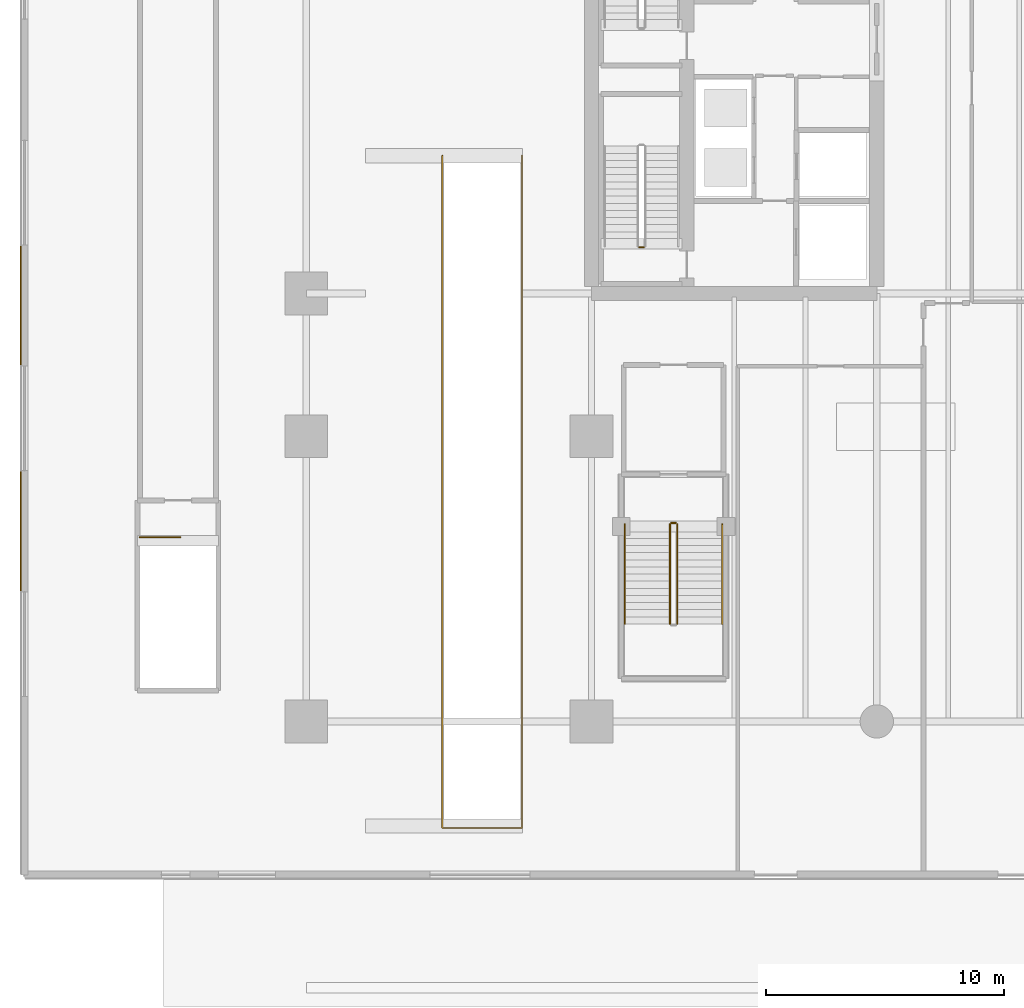
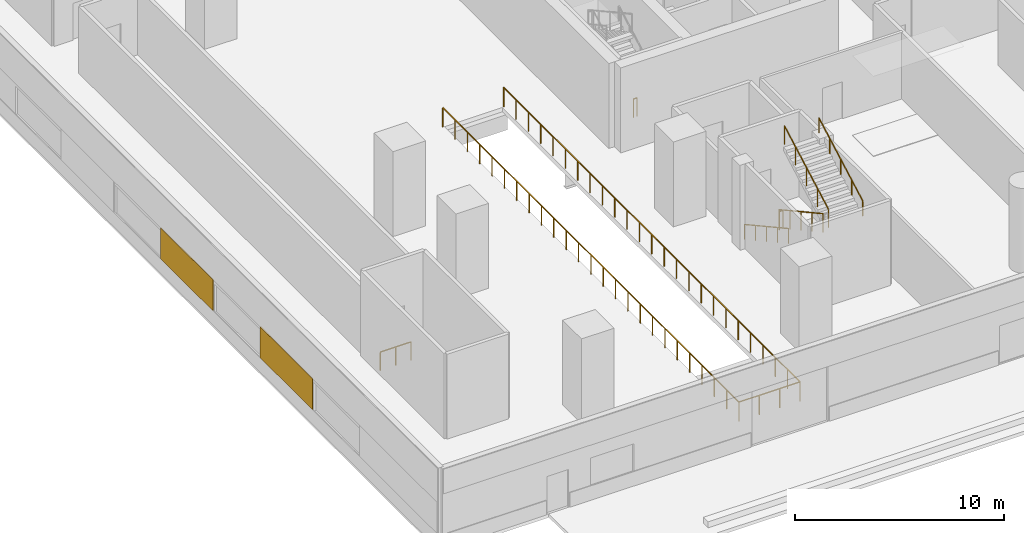
# One storey, part 15 of 25: 8 railings, 2 coverings.
"""IFC4 building model written with IfcOpenShell, lengths in metres."""

from ifc_helpers import new_model, si_unit, direction, frame, origin, origin_2d, place, context, subcontext, project, spatial, rectangle, extrude, material, layer, layer_set, type_object, element, save


model = new_model("IFC4")

# Units and contexts
model_context = context("Model", 3, precision=1e-05, world=origin(), true_north=direction((0.0, 1.0)))
body_context = subcontext(model_context, "Body", "Model", "MODEL_VIEW")
ifc_project = project(units=[si_unit("LENGTHUNIT", "METRE"), si_unit("AREAUNIT", "SQUARE_METRE"), si_unit("VOLUMEUNIT", "CUBIC_METRE"), si_unit("PLANEANGLEUNIT", "RADIAN"), si_unit("MASSUNIT", "GRAM", prefix="KILO")], contexts=[model_context])

# Site, building, storey
site_placement = place(None, origin())
site = spatial("IfcSite", under=ifc_project, at=site_placement, CompositionType="ELEMENT")
building_placement = place(site_placement, origin())
building = spatial("IfcBuilding", under=site, at=building_placement, Name="Tanjung Sevakor Pilgrim Tower", CompositionType="ELEMENT")
storey_placement = place(building_placement, origin())
storey = spatial("IfcBuildingStorey", under=building, at=storey_placement, Name="L01", CompositionType="ELEMENT", Elevation=0.0)

# Coverings
ifc_material_1 = material(Name="Reconstructed Limestone Cladding", Category="masonry")
ifc_layer = layer(ifc_material_1, 0.044921875)
ifc_layer_set = layer_set([ifc_layer], Name="COV-CLAD-LIMESTONE")
covering_type = type_object("IfcCoveringType", Name="COV-CLAD-LIMESTONE", PredefinedType="CLADDING", material=ifc_layer_set)
for number, where, z_axis, x_axis, name in (
    (1, (-0.0224609375, 24.10009765625, 0.849853515625), (0.0, 0.0, 1.0), (0.0, -1.0, 0.0), "L01 Warm Limestone Pier Panel EW-L01-MAIN-4-4"),
    (2, (-0.0224609375, 14.60009765625, 0.849853515625), (0.0, 0.0, 1.0), (0.0, -1.0, 0.0), "L01 Warm Limestone Pier Panel EW-L01-MAIN-4-5"),
):
    element("IfcCovering", number, at=place(storey_placement, frame(where, z_axis=z_axis, x_axis=x_axis)), inside=storey, type_object=covering_type, Name=name, PredefinedType="CLADDING", context=body_context, shape_type="SweptSolid", body=[
        extrude(rectangle(XDim=5.0, YDim=0.044921875, at=origin_2d()), origin(), (0.0, 0.0, 1.0), 1.81005859375),
    ])

# Railings
ifc_material_2 = material(Name="Steel S355J2", Category="steel")
railing_type_1 = type_object("IfcRailingType", Name="RL-STAIR-GUARD", PredefinedType="GUARDRAIL", material=ifc_material_2)
railing_1_placement = place(storey_placement, frame((26.199951171875, 26.550048828125, 0.0)))
element("IfcRailing", 3, at=railing_1_placement, inside=storey, type_object=railing_type_1, Name="L01 TS-W1 stair guard 4", PredefinedType="GUARDRAIL", context=body_context, shape_type="SweptSolid", body=[
    extrude(rectangle(XDim=0.0479, YDim=0.0479), frame((0.0, 0.0, 1.076171875), z_axis=(-1.0, 0.0, 0.0), x_axis=(0.0, -1.0, 0.0)), (0.0, 0.0, 1.0), 0.199951171875),
    extrude(rectangle(XDim=0.042, YDim=0.042), origin(), (0.0, 0.0, 1.0), 1.052001953125),
    extrude(rectangle(XDim=0.042, YDim=0.042), frame((-0.199951171875, 0.0, 0.0)), (0.0, 0.0, 1.0), 1.052001953125),
])
railing_2_placement = place(storey_placement, frame((27.300048828125, 14.89990234375, 0.1650390625)))
element("IfcRailing", 4, at=railing_2_placement, inside=storey, type_object=railing_type_1, Name="L01 PS-1 stair guard 1", PredefinedType="GUARDRAIL", context=body_context, shape_type="SweptSolid", body=[
    extrude(rectangle(XDim=0.0479, YDim=0.0479), frame((0.0, 0.0, 1.076171875), z_axis=(0.0, -0.876208380975, 0.481932436249), x_axis=(1.0, 0.0, 0.0)), (0.0, 0.0, 1.0), 4.793212890625),
    extrude(rectangle(XDim=0.042, YDim=0.042), origin(), (0.0, 0.0, 1.0), 1.052001953125),
    extrude(rectangle(XDim=0.042, YDim=0.042), frame((0.0, -1.050048828125, 0.57763671875)), (0.0, 0.0, 1.0), 1.052001953125),
    extrude(rectangle(XDim=0.042, YDim=0.042), frame((0.0, -2.10009765625, 1.155029296875)), (0.0, 0.0, 1.0), 1.052001953125),
    extrude(rectangle(XDim=0.042, YDim=0.042), frame((0.0, -3.14990234375, 1.732421875)), (0.0, 0.0, 1.0), 1.052001953125),
    extrude(rectangle(XDim=0.042, YDim=0.042), frame((0.0, -4.199951171875, 2.31005859375)), (0.0, 0.0, 1.0), 1.052001953125),
])
railing_3_placement = place(storey_placement, frame((27.60009765625, 10.699951171875, 2.639892578125)))
element("IfcRailing", 5, at=railing_3_placement, inside=storey, type_object=railing_type_1, Name="L01 PS-1 stair guard 3", PredefinedType="GUARDRAIL", context=body_context, shape_type="SweptSolid", body=[
    extrude(rectangle(XDim=0.0479, YDim=0.0479), frame((0.0, 0.0, 1.076171875), z_axis=(0.0, 0.876208380975, 0.481932436249), x_axis=(-1.0, 0.0, 0.0)), (0.0, 0.0, 1.0), 4.793212890625),
    extrude(rectangle(XDim=0.042, YDim=0.042), origin(), (0.0, 0.0, 1.0), 1.052001953125),
    extrude(rectangle(XDim=0.042, YDim=0.042), frame((0.0, 1.050048828125, 0.57763671875)), (0.0, 0.0, 1.0), 1.052001953125),
    extrude(rectangle(XDim=0.042, YDim=0.042), frame((0.0, 2.10009765625, 1.155029296875)), (0.0, 0.0, 1.0), 1.052001953125),
    extrude(rectangle(XDim=0.042, YDim=0.042), frame((0.0, 3.14990234375, 1.732421875)), (0.0, 0.0, 1.0), 1.052001953125),
    extrude(rectangle(XDim=0.042, YDim=0.042), frame((0.0, 4.199951171875, 2.31005859375)), (0.0, 0.0, 1.0), 1.052001953125),
])
railing_4_placement = place(storey_placement, frame((27.35009765625, 14.949951171875, 0.0)))
element("IfcRailing", 6, at=railing_4_placement, inside=storey, type_object=railing_type_1, Name="L01 PS-1 stair guard 4", PredefinedType="GUARDRAIL", context=body_context, shape_type="SweptSolid", body=[
    extrude(rectangle(XDim=0.0479, YDim=0.0479), frame((0.0, 0.0, 1.076171875), z_axis=(1.0, 0.0, 0.0), x_axis=(0.0, 1.0, 0.0)), (0.0, 0.0, 1.0), 0.199951171875),
    extrude(rectangle(XDim=0.042, YDim=0.042), origin(), (0.0, 0.0, 1.0), 1.052001953125),
    extrude(rectangle(XDim=0.042, YDim=0.042), frame((0.199951171875, 0.0, 0.0)), (0.0, 0.0, 1.0), 1.052001953125),
])
railing_5_placement = place(storey_placement, frame((5.0, 14.35009765625, 0.0)))
element("IfcRailing", 7, at=railing_5_placement, inside=storey, type_object=railing_type_1, Name="L01 BS-1 top well guard 1", PredefinedType="GUARDRAIL", context=body_context, shape_type="SweptSolid", body=[
    extrude(rectangle(XDim=0.0479, YDim=0.0479), frame((0.0, 0.0, 1.076171875), z_axis=(1.0, 0.0, 0.0), x_axis=(0.0, 1.0, 0.0)), (0.0, 0.0, 1.0), 1.699951171875),
    extrude(rectangle(XDim=0.042, YDim=0.042), origin(), (0.0, 0.0, 1.0), 1.052001953125),
    extrude(rectangle(XDim=0.042, YDim=0.042), frame((0.85009765625, 0.0, 0.0)), (0.0, 0.0, 1.0), 1.052001953125),
    extrude(rectangle(XDim=0.042, YDim=0.042), frame((1.699951171875, 0.0, 0.0)), (0.0, 0.0, 1.0), 1.052001953125),
])
railing_6_placement = place(storey_placement, frame((17.719970703125, 30.419921875, 0.0)))
element("IfcRailing", 8, at=railing_6_placement, inside=storey, type_object=railing_type_1, Name="L01 Vehicle Ramp Opening Guardrail", PredefinedType="GUARDRAIL", context=body_context, shape_type="SweptSolid", body=[
    extrude(rectangle(XDim=0.0479, YDim=0.0479), frame((0.0, 0.0, 1.1259765625), z_axis=(0.0, -1.0, 0.0), x_axis=(1.0, 0.0, 0.0)), (0.0, 0.0, 1.0), 28.2998046875),
    extrude(rectangle(XDim=0.0479, YDim=0.0479), frame((0.0, -28.2998046875, 1.1259765625), z_axis=(1.0, 0.0, 0.0), x_axis=(0.0, 1.0, 0.0)), (0.0, 0.0, 1.0), 3.360107421875),
    extrude(rectangle(XDim=0.0479, YDim=0.0479), frame((3.360107421875, -28.2998046875, 1.1259765625), z_axis=(0.0, 1.0, 0.0), x_axis=(-1.0, 0.0, 0.0)), (0.0, 0.0, 1.0), 28.2998046875),
    extrude(rectangle(XDim=0.042, YDim=0.042), origin(), (0.0, 0.0, 1.0), 1.101806640625),
    extrude(rectangle(XDim=0.042, YDim=0.042), frame((0.0, -1.17919921875, 0.0)), (0.0, 0.0, 1.0), 1.101806640625),
    extrude(rectangle(XDim=0.042, YDim=0.042), frame((0.0, -2.3583984375, 0.0)), (0.0, 0.0, 1.0), 1.101806640625),
    extrude(rectangle(XDim=0.042, YDim=0.042), frame((0.0, -3.53759765625, 0.0)), (0.0, 0.0, 1.0), 1.101806640625),
    extrude(rectangle(XDim=0.042, YDim=0.042), frame((0.0, -4.716552734375, 0.0)), (0.0, 0.0, 1.0), 1.101806640625),
    extrude(rectangle(XDim=0.042, YDim=0.042), frame((0.0, -5.895751953125, 0.0)), (0.0, 0.0, 1.0), 1.101806640625),
    extrude(rectangle(XDim=0.042, YDim=0.042), frame((0.0, -7.074951171875, 0.0)), (0.0, 0.0, 1.0), 1.101806640625),
    extrude(rectangle(XDim=0.042, YDim=0.042), frame((0.0, -8.254150390625, 0.0)), (0.0, 0.0, 1.0), 1.101806640625),
    extrude(rectangle(XDim=0.042, YDim=0.042), frame((0.0, -9.433349609375, 0.0)), (0.0, 0.0, 1.0), 1.101806640625),
    extrude(rectangle(XDim=0.042, YDim=0.042), frame((0.0, -10.6123046875, 0.0)), (0.0, 0.0, 1.0), 1.101806640625),
    extrude(rectangle(XDim=0.042, YDim=0.042), frame((0.0, -11.79150390625, 0.0)), (0.0, 0.0, 1.0), 1.101806640625),
    extrude(rectangle(XDim=0.042, YDim=0.042), frame((0.0, -12.970703125, 0.0)), (0.0, 0.0, 1.0), 1.101806640625),
    extrude(rectangle(XDim=0.042, YDim=0.042), frame((0.0, -14.14990234375, 0.0)), (0.0, 0.0, 1.0), 1.101806640625),
    extrude(rectangle(XDim=0.042, YDim=0.042), frame((0.0, -15.3291015625, 0.0)), (0.0, 0.0, 1.0), 1.101806640625),
    extrude(rectangle(XDim=0.042, YDim=0.042), frame((0.0, -16.50830078125, 0.0)), (0.0, 0.0, 1.0), 1.101806640625),
    extrude(rectangle(XDim=0.042, YDim=0.042), frame((0.0, -17.6875, 0.0)), (0.0, 0.0, 1.0), 1.101806640625),
    extrude(rectangle(XDim=0.042, YDim=0.042), frame((0.0, -18.866455078125, 0.0)), (0.0, 0.0, 1.0), 1.101806640625),
    extrude(rectangle(XDim=0.042, YDim=0.042), frame((0.0, -20.045654296875, 0.0)), (0.0, 0.0, 1.0), 1.101806640625),
    extrude(rectangle(XDim=0.042, YDim=0.042), frame((0.0, -21.224853515625, 0.0)), (0.0, 0.0, 1.0), 1.101806640625),
    extrude(rectangle(XDim=0.042, YDim=0.042), frame((0.0, -22.404052734375, 0.0)), (0.0, 0.0, 1.0), 1.101806640625),
    extrude(rectangle(XDim=0.042, YDim=0.042), frame((0.0, -23.583251953125, 0.0)), (0.0, 0.0, 1.0), 1.101806640625),
    extrude(rectangle(XDim=0.042, YDim=0.042), frame((0.0, -24.76220703125, 0.0)), (0.0, 0.0, 1.0), 1.101806640625),
    extrude(rectangle(XDim=0.042, YDim=0.042), frame((0.0, -25.94140625, 0.0)), (0.0, 0.0, 1.0), 1.101806640625),
    extrude(rectangle(XDim=0.042, YDim=0.042), frame((0.0, -27.12060546875, 0.0)), (0.0, 0.0, 1.0), 1.101806640625),
    extrude(rectangle(XDim=0.042, YDim=0.042), frame((0.0, -28.2998046875, 0.0)), (0.0, 0.0, 1.0), 1.101806640625),
    extrude(rectangle(XDim=0.042, YDim=0.042), frame((1.1201171875, -28.2998046875, 0.0)), (0.0, 0.0, 1.0), 1.101806640625),
    extrude(rectangle(XDim=0.042, YDim=0.042), frame((2.239990234375, -28.2998046875, 0.0)), (0.0, 0.0, 1.0), 1.101806640625),
    extrude(rectangle(XDim=0.042, YDim=0.042), frame((3.360107421875, -28.2998046875, 0.0)), (0.0, 0.0, 1.0), 1.101806640625),
    extrude(rectangle(XDim=0.042, YDim=0.042), frame((3.360107421875, -27.12060546875, 0.0)), (0.0, 0.0, 1.0), 1.101806640625),
    extrude(rectangle(XDim=0.042, YDim=0.042), frame((3.360107421875, -25.94140625, 0.0)), (0.0, 0.0, 1.0), 1.101806640625),
    extrude(rectangle(XDim=0.042, YDim=0.042), frame((3.360107421875, -24.76220703125, 0.0)), (0.0, 0.0, 1.0), 1.101806640625),
    extrude(rectangle(XDim=0.042, YDim=0.042), frame((3.360107421875, -23.583251953125, 0.0)), (0.0, 0.0, 1.0), 1.101806640625),
    extrude(rectangle(XDim=0.042, YDim=0.042), frame((3.360107421875, -22.404052734375, 0.0)), (0.0, 0.0, 1.0), 1.101806640625),
    extrude(rectangle(XDim=0.042, YDim=0.042), frame((3.360107421875, -21.224853515625, 0.0)), (0.0, 0.0, 1.0), 1.101806640625),
    extrude(rectangle(XDim=0.042, YDim=0.042), frame((3.360107421875, -20.045654296875, 0.0)), (0.0, 0.0, 1.0), 1.101806640625),
    extrude(rectangle(XDim=0.042, YDim=0.042), frame((3.360107421875, -18.866455078125, 0.0)), (0.0, 0.0, 1.0), 1.101806640625),
    extrude(rectangle(XDim=0.042, YDim=0.042), frame((3.360107421875, -17.6875, 0.0)), (0.0, 0.0, 1.0), 1.101806640625),
    extrude(rectangle(XDim=0.042, YDim=0.042), frame((3.360107421875, -16.50830078125, 0.0)), (0.0, 0.0, 1.0), 1.101806640625),
    extrude(rectangle(XDim=0.042, YDim=0.042), frame((3.360107421875, -15.3291015625, 0.0)), (0.0, 0.0, 1.0), 1.101806640625),
    extrude(rectangle(XDim=0.042, YDim=0.042), frame((3.360107421875, -14.14990234375, 0.0)), (0.0, 0.0, 1.0), 1.101806640625),
    extrude(rectangle(XDim=0.042, YDim=0.042), frame((3.360107421875, -12.970703125, 0.0)), (0.0, 0.0, 1.0), 1.101806640625),
    extrude(rectangle(XDim=0.042, YDim=0.042), frame((3.360107421875, -11.79150390625, 0.0)), (0.0, 0.0, 1.0), 1.101806640625),
    extrude(rectangle(XDim=0.042, YDim=0.042), frame((3.360107421875, -10.6123046875, 0.0)), (0.0, 0.0, 1.0), 1.101806640625),
    extrude(rectangle(XDim=0.042, YDim=0.042), frame((3.360107421875, -9.433349609375, 0.0)), (0.0, 0.0, 1.0), 1.101806640625),
    extrude(rectangle(XDim=0.042, YDim=0.042), frame((3.360107421875, -8.254150390625, 0.0)), (0.0, 0.0, 1.0), 1.101806640625),
    extrude(rectangle(XDim=0.042, YDim=0.042), frame((3.360107421875, -7.074951171875, 0.0)), (0.0, 0.0, 1.0), 1.101806640625),
    extrude(rectangle(XDim=0.042, YDim=0.042), frame((3.360107421875, -5.895751953125, 0.0)), (0.0, 0.0, 1.0), 1.101806640625),
    extrude(rectangle(XDim=0.042, YDim=0.042), frame((3.360107421875, -4.716552734375, 0.0)), (0.0, 0.0, 1.0), 1.101806640625),
    extrude(rectangle(XDim=0.042, YDim=0.042), frame((3.360107421875, -3.53759765625, 0.0)), (0.0, 0.0, 1.0), 1.101806640625),
    extrude(rectangle(XDim=0.042, YDim=0.042), frame((3.360107421875, -2.3583984375, 0.0)), (0.0, 0.0, 1.0), 1.101806640625),
    extrude(rectangle(XDim=0.042, YDim=0.042), frame((3.360107421875, -1.17919921875, 0.0)), (0.0, 0.0, 1.0), 1.101806640625),
    extrude(rectangle(XDim=0.042, YDim=0.042), frame((3.360107421875, 0.0, 0.0)), (0.0, 0.0, 1.0), 1.101806640625),
])
ifc_material_3 = material(Name="Steel S355J2", Category="steel")
railing_type_2 = type_object("IfcRailingType", Name="RL-STAIR-HAND", PredefinedType="HANDRAIL", material=ifc_material_3)
railing_7_placement = place(storey_placement, frame((25.39990234375, 14.89990234375, 0.1650390625)))
element("IfcRailing", 9, at=railing_7_placement, inside=storey, type_object=railing_type_2, Name="L01 PS-1 stair handrail 1", PredefinedType="HANDRAIL", context=body_context, shape_type="SweptSolid", body=[
    extrude(rectangle(XDim=0.0479, YDim=0.0479), frame((0.0, 0.0, 0.8759765625), z_axis=(0.0, -0.876208380975, 0.481932436249), x_axis=(1.0, 0.0, 0.0)), (0.0, 0.0, 1.0), 4.793212890625),
    extrude(rectangle(XDim=0.042, YDim=0.042), origin(), (0.0, 0.0, 1.0), 0.851806640625),
    extrude(rectangle(XDim=0.042, YDim=0.042), frame((0.0, -1.050048828125, 0.57763671875)), (0.0, 0.0, 1.0), 0.851806640625),
    extrude(rectangle(XDim=0.042, YDim=0.042), frame((0.0, -2.10009765625, 1.155029296875)), (0.0, 0.0, 1.0), 0.851806640625),
    extrude(rectangle(XDim=0.042, YDim=0.042), frame((0.0, -3.14990234375, 1.732421875)), (0.0, 0.0, 1.0), 0.851806640625),
    extrude(rectangle(XDim=0.042, YDim=0.042), frame((0.0, -4.199951171875, 2.31005859375)), (0.0, 0.0, 1.0), 0.851806640625),
])
railing_8_placement = place(storey_placement, frame((29.5, 10.699951171875, 2.639892578125)))
element("IfcRailing", 10, at=railing_8_placement, inside=storey, type_object=railing_type_2, Name="L01 PS-1 stair handrail 2", PredefinedType="HANDRAIL", context=body_context, shape_type="SweptSolid", body=[
    extrude(rectangle(XDim=0.0479, YDim=0.0479), frame((0.0, 0.0, 0.8759765625), z_axis=(0.0, 0.876208380975, 0.481932436249), x_axis=(-1.0, 0.0, 0.0)), (0.0, 0.0, 1.0), 4.793212890625),
    extrude(rectangle(XDim=0.042, YDim=0.042), origin(), (0.0, 0.0, 1.0), 0.851806640625),
    extrude(rectangle(XDim=0.042, YDim=0.042), frame((0.0, 1.050048828125, 0.57763671875)), (0.0, 0.0, 1.0), 0.851806640625),
    extrude(rectangle(XDim=0.042, YDim=0.042), frame((0.0, 2.10009765625, 1.155029296875)), (0.0, 0.0, 1.0), 0.851806640625),
    extrude(rectangle(XDim=0.042, YDim=0.042), frame((0.0, 3.14990234375, 1.732421875)), (0.0, 0.0, 1.0), 0.851806640625),
    extrude(rectangle(XDim=0.042, YDim=0.042), frame((0.0, 4.199951171875, 2.31005859375)), (0.0, 0.0, 1.0), 0.851806640625),
])

save(model, "model.ifc")
